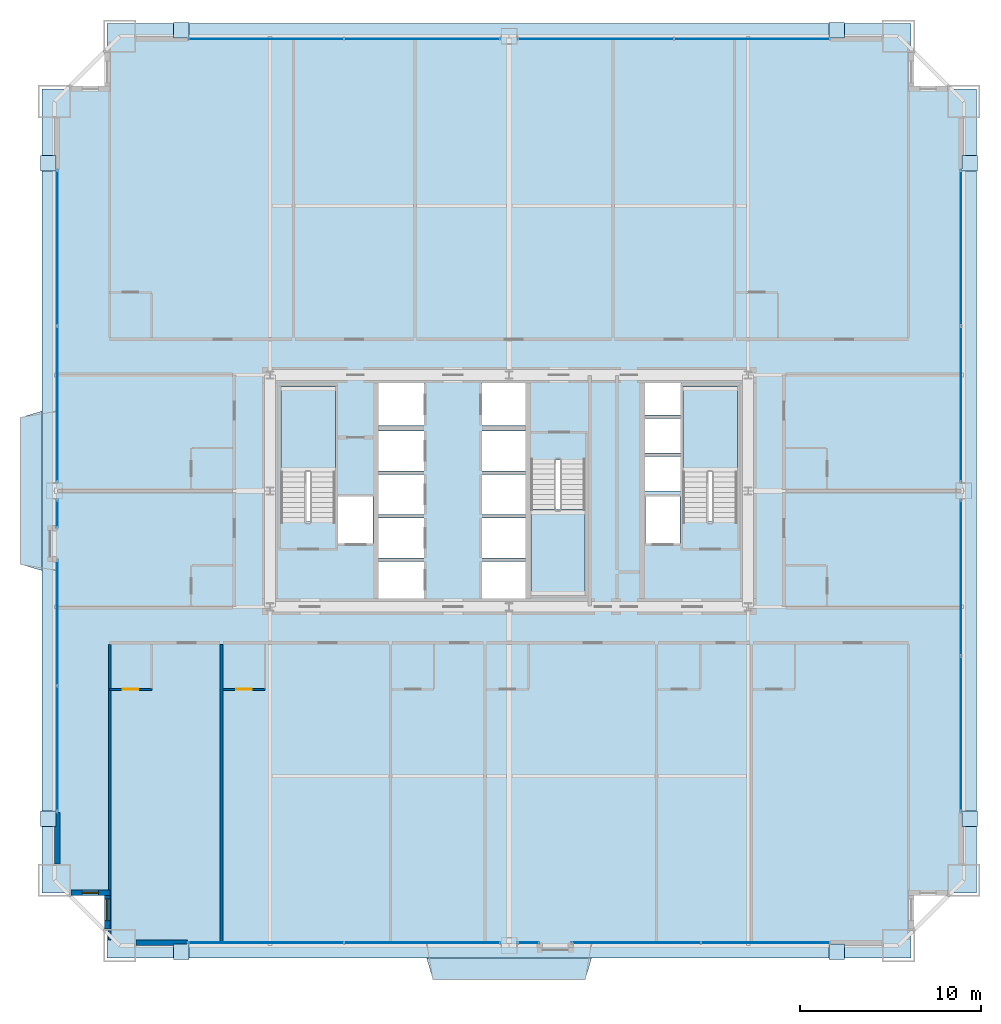
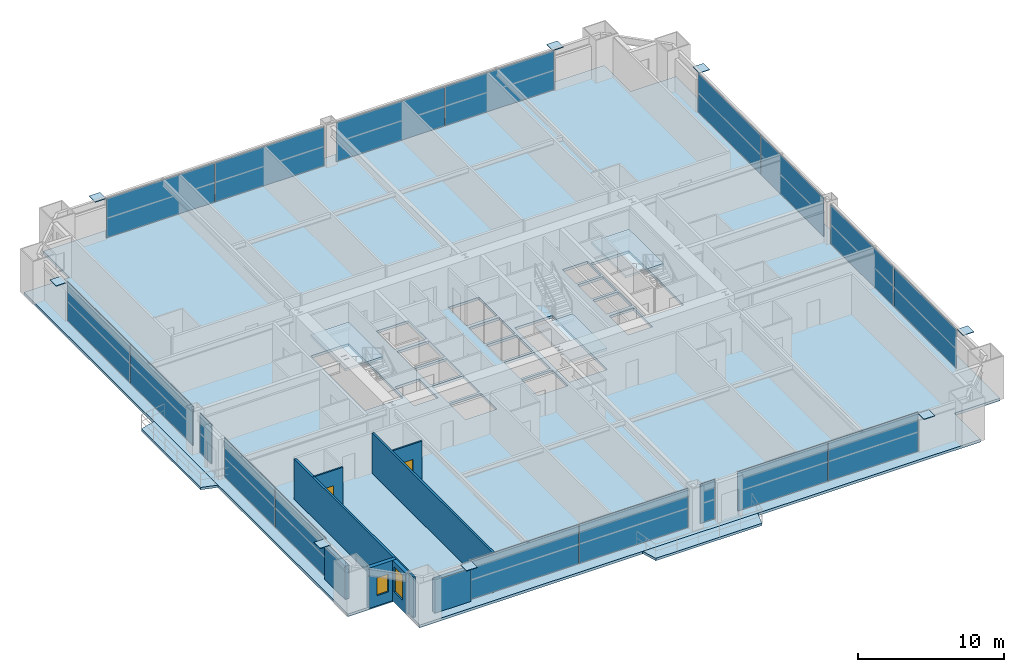
# One storey, part 40 of 46: 26 plates, 8 walls, 6 slabs, 2 doors, 2 windows, 4 openings, 13 elements without a shape of their own.
"""IFC4 building model written with IfcOpenShell, lengths in metres."""

from ifc_helpers import new_model, si_unit, direction, frame, frame_2d, origin, origin_2d, place, context, subcontext, project, spatial, polyline, rectangle, outline, extrude, source, transform, mapped, material, layer, layer_set, type_object, element, fill, aggregate, save


model = new_model("IFC4")

# Units and contexts
model_context = context("Model", 3, precision=1e-05, world=origin(), true_north=direction((0.0, 1.0)))
body_context = subcontext(model_context, "Body", "Model", "MODEL_VIEW")
ifc_project = project(units=[si_unit("LENGTHUNIT", "METRE"), si_unit("AREAUNIT", "SQUARE_METRE"), si_unit("VOLUMEUNIT", "CUBIC_METRE"), si_unit("PLANEANGLEUNIT", "RADIAN"), si_unit("MASSUNIT", "GRAM", prefix="KILO"), si_unit("THERMODYNAMICTEMPERATUREUNIT", "KELVIN"), si_unit("POWERUNIT", "WATT")], contexts=[model_context])

# Site, building, storey
site_placement = place(None, origin())
site = spatial("IfcSite", under=ifc_project, at=site_placement, CompositionType="ELEMENT")
building_placement = place(site_placement, origin())
building = spatial("IfcBuilding", under=site, at=building_placement, Name="Yuzanri Waterfront Tower", CompositionType="ELEMENT")
storey_placement = place(building_placement, frame((0.0, 0.0, 56.800048828125)))
storey = spatial("IfcBuildingStorey", under=building, at=storey_placement, Name="L14", CompositionType="ELEMENT", Elevation=56.800048828125)

# Slabs
ifc_material_1 = material(Name="Concrete C40", Category="concrete")
ifc_layer_1 = layer(ifc_material_1, 0.199951171875)
ifc_layer_set_1 = layer_set([ifc_layer_1], Name="Concrete C40")
slab_type_1 = type_object("IfcSlabType", Name="Concrete C40 Cantilevered Engawa Wave Terrace Slab 200", PredefinedType="FLOOR", material=ifc_layer_set_1)
slab_1_placement = place(storey_placement, frame((0.0, 0.0, -0.199951171875)))
element("IfcSlab", 1, at=slab_1_placement, inside=storey, type_object=slab_type_1, Name="L14 S Cantilevered Engawa Terrace Slab", PredefinedType="FLOOR", context=body_context, shape_type="SweptSolid", body=[
    extrude(outline(polyline([(32.447998046875, 0.0), (41.552001953125, 0.0), (41.201904296875, -1.181884765625), (32.798095703125, -1.181884765625), (32.447998046875, 0.0)])), origin(), (0.0, 0.0, 1.0), 0.199951171875),
])
slab_2_placement = place(storey_placement, frame((0.0, 0.0, -0.199951171875)))
element("IfcSlab", 2, at=slab_2_placement, inside=storey, type_object=slab_type_1, Name="L14 W Cantilevered Engawa Terrace Slab", PredefinedType="FLOOR", context=body_context, shape_type="SweptSolid", body=[
    extrude(outline(polyline([(11.199951171875, 21.39990234375), (10.01806640625, 21.75), (10.01806640625, 29.85009765625), (11.199951171875, 30.199951171875), (11.199951171875, 21.39990234375)])), origin(), (0.0, 0.0, 1.0), 0.199951171875),
])

# Stair, slab
ifc_material_2 = material(Name="Concrete C40", Category="concrete")
stair_type = type_object("IfcStairType", Name="Concrete C40 Core Dogleg Exit Stair", PredefinedType="HALF_TURN_STAIR", material=ifc_material_2)
stair_1_placement = place(storey_placement, origin())
stair_1 = element("IfcStair", 3, at=stair_1_placement, inside=storey, type_object=stair_type, Name="L14 Smoke-Proof Core Stair ST-01", PredefinedType="HALF_TURN_STAIR")
ifc_material_3 = material(Name="Concrete C40", Category="concrete")
ifc_layer_2 = layer(ifc_material_3, 0.179931640625)
ifc_layer_set_2 = layer_set([ifc_layer_2], Name="Concrete C40")
slab_type_2 = type_object("IfcSlabType", Name="Concrete C40 Stair Half-Landing Slab 180", PredefinedType="LANDING", material=ifc_layer_set_2)
slab_3_placement = place(storey_placement, frame((0.0, 0.0, 1.599853515625)))
slab_3 = element("IfcSlab", 4, at=slab_3_placement, type_object=slab_type_2, Name="ST-01 landing 1", PredefinedType="LANDING", context=body_context, shape_type="SweptSolid", body=[
    extrude(outline(polyline([(27.39990234375, 26.840087890625), (27.39990234375, 31.580078125), (24.39990234375, 31.580078125), (24.39990234375, 26.840087890625), (27.39990234375, 26.840087890625)])), origin(), (0.0, 0.0, 1.0), 0.2001953125),
])
aggregate(stair_1, [slab_3])

stair_2_placement = place(storey_placement, origin())
stair_2 = element("IfcStair", 5, at=stair_2_placement, inside=storey, type_object=stair_type, Name="L14 Smoke-Proof Core Stair ST-02", PredefinedType="HALF_TURN_STAIR")
slab_4_placement = place(storey_placement, frame((0.0, 0.0, 1.599853515625)))
slab_4 = element("IfcSlab", 6, at=slab_4_placement, type_object=slab_type_2, Name="ST-02 landing 1", PredefinedType="LANDING", context=body_context, shape_type="SweptSolid", body=[
    extrude(outline(polyline([(49.60009765625, 26.840087890625), (49.60009765625, 31.580078125), (46.60009765625, 31.580078125), (46.60009765625, 26.840087890625), (49.60009765625, 26.840087890625)])), origin(), (0.0, 0.0, 1.0), 0.2001953125),
])
aggregate(stair_2, [slab_4])

stair_3_placement = place(storey_placement, origin())
stair_3 = element("IfcStair", 7, at=stair_3_placement, inside=storey, type_object=stair_type, Name="L14 Smoke-Proof Core Stair ST-03", PredefinedType="HALF_TURN_STAIR")
slab_5_placement = place(storey_placement, frame((0.0, 0.0, 1.599853515625)))
slab_5 = element("IfcSlab", 8, at=slab_5_placement, type_object=slab_type_2, Name="ST-03 landing 1", PredefinedType="LANDING", context=body_context, shape_type="SweptSolid", body=[
    extrude(outline(polyline([(38.199951171875, 24.760009765625), (38.199951171875, 20.02001953125), (41.199951171875, 20.02001953125), (41.199951171875, 24.760009765625), (38.199951171875, 24.760009765625)])), origin(), (0.0, 0.0, 1.0), 0.2001953125),
])
aggregate(stair_3, [slab_5])

# Slab
ifc_material_4 = material(Name="Concrete C40", Category="concrete")
ifc_layer_3 = layer(ifc_material_4, 0.219970703125)
ifc_layer_set_3 = layer_set([ifc_layer_3], Name="Concrete C40")
slab_type_3 = type_object("IfcSlabType", Name="Concrete C40 Tower Typical Structural Floor Slab 220", PredefinedType="FLOOR", material=ifc_layer_set_3)
slab_6_placement = place(storey_placement, frame((0.0, 0.0, -0.219970703125)))
element("IfcSlab", 9, at=slab_6_placement, inside=storey, type_object=slab_type_3, Name="L14 Main Structural Floor Slab", PredefinedType="FLOOR", context=body_context, shape_type="SweptSolid", body=[
    extrude(outline(polyline([(14.800048828125, 0.0), (59.199951171875, 0.0), (59.199951171875, 3.60009765625), (62.800048828125, 3.60009765625), (62.800048828125, 48.0), (59.199951171875, 48.0), (59.199951171875, 51.60009765625), (14.800048828125, 51.60009765625), (14.800048828125, 48.0), (11.199951171875, 48.0), (11.199951171875, 3.60009765625), (14.800048828125, 3.60009765625), (14.800048828125, 0.0)]), holes=[polyline([(27.39990234375, 24.10009765625), (27.39990234375, 31.580078125), (24.39990234375, 31.580078125), (24.39990234375, 24.10009765625), (27.39990234375, 24.10009765625)]), polyline([(49.60009765625, 24.10009765625), (49.60009765625, 31.580078125), (46.60009765625, 31.580078125), (46.60009765625, 24.10009765625), (49.60009765625, 24.10009765625)]), polyline([(38.199951171875, 27.5), (38.199951171875, 20.02001953125), (41.199951171875, 20.02001953125), (41.199951171875, 27.5), (38.199951171875, 27.5)]), polyline([(27.56005859375, 22.89990234375), (29.47998046875, 22.89990234375), (29.47998046875, 25.5), (27.56005859375, 25.5), (27.56005859375, 22.89990234375)]), polyline([(44.52001953125, 22.89990234375), (46.43994140625, 22.89990234375), (46.43994140625, 25.5), (44.52001953125, 25.5), (44.52001953125, 22.89990234375)]), polyline([(29.800048828125, 19.699951171875), (32.300048828125, 19.699951171875), (32.300048828125, 21.89990234375), (29.800048828125, 21.89990234375), (29.800048828125, 19.699951171875)]), polyline([(29.800048828125, 22.10009765625), (32.300048828125, 22.10009765625), (32.300048828125, 24.300048828125), (29.800048828125, 24.300048828125), (29.800048828125, 22.10009765625)]), polyline([(29.800048828125, 24.5), (32.300048828125, 24.5), (32.300048828125, 26.699951171875), (29.800048828125, 26.699951171875), (29.800048828125, 24.5)]), polyline([(29.800048828125, 26.89990234375), (32.300048828125, 26.89990234375), (32.300048828125, 29.10009765625), (29.800048828125, 29.10009765625), (29.800048828125, 26.89990234375)]), polyline([(29.800048828125, 29.39990234375), (32.300048828125, 29.39990234375), (32.300048828125, 31.89990234375), (29.800048828125, 31.89990234375), (29.800048828125, 29.39990234375)]), polyline([(35.5, 19.699951171875), (37.89990234375, 19.699951171875), (37.89990234375, 21.89990234375), (35.5, 21.89990234375), (35.5, 19.699951171875)]), polyline([(35.5, 22.10009765625), (37.89990234375, 22.10009765625), (37.89990234375, 24.300048828125), (35.5, 24.300048828125), (35.5, 22.10009765625)]), polyline([(35.5, 24.5), (37.89990234375, 24.5), (37.89990234375, 26.699951171875), (35.5, 26.699951171875), (35.5, 24.5)]), polyline([(35.5, 26.89990234375), (37.89990234375, 26.89990234375), (37.89990234375, 29.10009765625), (35.5, 29.10009765625), (35.5, 26.89990234375)]), polyline([(35.5, 29.39990234375), (37.89990234375, 29.39990234375), (37.89990234375, 31.89990234375), (35.5, 31.89990234375), (35.5, 29.39990234375)]), polyline([(44.5, 25.800048828125), (46.5, 25.800048828125), (46.5, 27.699951171875), (44.5, 27.699951171875), (44.5, 25.800048828125)]), polyline([(44.5, 27.89990234375), (46.5, 27.89990234375), (46.5, 29.800048828125), (44.5, 29.800048828125), (44.5, 27.89990234375)]), polyline([(44.5, 30.0), (46.5, 30.0), (46.5, 31.89990234375), (44.5, 31.89990234375), (44.5, 30.0)])]), origin(), (0.0, 0.0, 1.0), 0.219970703125),
])

# Plates
ifc_material_5 = material(Name="Steel Q420GJC", Category="steel")
ifc_layer_4 = layer(ifc_material_5, 0.0400390625)
ifc_layer_set_4 = layer_set([ifc_layer_4], Name="Steel Q420GJC")
plate_type_1 = type_object("IfcPlateType", Name="Steel Q420GJC Mega-Brace Gusset and End-Cap Plate 40", PredefinedType="SHEET", material=ifc_layer_set_4)
shared_shape_1 = source(origin(), body_context, "Body", "SweptSolid", [
    extrude(rectangle(XDim=0.85009765625, YDim=0.85009765625, at=origin_2d()), origin(), (0.0, 0.0, 1.0), 0.0400390625),
])
for number, where, z_axis, x_axis, name in (
    (10, (18.89990234375, 0.360107421875, 3.260009765625), (0.0, 0.0, 1.0), (1.0, 0.0, 0.0), "L14 Mega-Brace Apex Cap Plate S-L"),
    (11, (55.10009765625, 0.360107421875, 3.260009765625), (0.0, 0.0, 1.0), (1.0, 0.0, 0.0), "L14 Mega-Brace Apex Cap Plate S-R"),
    (12, (18.89990234375, 51.239990234375, 3.260009765625), (0.0, 0.0, 1.0), (1.0, 0.0, 0.0), "L14 Mega-Brace Apex Cap Plate N-L"),
    (13, (55.10009765625, 51.239990234375, 3.260009765625), (0.0, 0.0, 1.0), (1.0, 0.0, 0.0), "L14 Mega-Brace Apex Cap Plate N-R"),
    (14, (11.56005859375, 7.699951171875, 3.260009765625), (0.0, 0.0, 1.0), (1.0, 0.0, 0.0), "L14 Mega-Brace Apex Cap Plate W-L"),
    (15, (11.56005859375, 43.89990234375, 3.260009765625), (0.0, 0.0, 1.0), (1.0, 0.0, 0.0), "L14 Mega-Brace Apex Cap Plate W-R"),
    (16, (62.43994140625, 7.699951171875, 3.260009765625), (0.0, 0.0, 1.0), (1.0, 0.0, 0.0), "L14 Mega-Brace Apex Cap Plate E-L"),
    (17, (62.43994140625, 43.89990234375, 3.260009765625), (0.0, 0.0, 1.0), (1.0, 0.0, 0.0), "L14 Mega-Brace Apex Cap Plate E-R"),
):
    element("IfcPlate", number, at=place(storey_placement, frame(where, z_axis=z_axis, x_axis=x_axis)), inside=storey, type_object=plate_type_1, Name=name, PredefinedType="SHEET", context=body_context, shape_type="MappedRepresentation", body=[
        mapped(shared_shape_1, transform((0.0, 0.0, 0.0), scale=1.0)),
    ])

# Curtain wall, plates
ifc_material_6 = material(Name="Anodized Architectural Bronze", Category="metal")
ifc_layer_5 = layer(ifc_material_6, 0.159912109375)
ifc_layer_set_5 = layer_set([ifc_layer_5], Name="Anodized Architectural Bronze")
curtain_wall_type = type_object("IfcCurtainWallType", Name="Anodized Bronze Hotel Lower-Tier Recessed Unitized Curtain Wall 8100", PredefinedType="NOTDEFINED", material=ifc_layer_set_5)
curtain_wall_1_placement = place(storey_placement, origin())
curtain_wall_1 = element("IfcCurtainWall", 18, at=curtain_wall_1_placement, inside=storey, type_object=curtain_wall_type, Name="L14 Curtain Wall CW-L14-SL", PredefinedType="NOTDEFINED")
ifc_material_7 = material(Name="Double-Silver Low-E Insulated Glass", Category="glass")
ifc_layer_6 = layer(ifc_material_7, 0.035888671875)
ifc_layer_set_6 = layer_set([ifc_layer_6], Name="Double-Silver Low-E Insulated Glass")
plate_type_2 = type_object("IfcPlateType", Name="Double Silver Low-E Insulated Vision Glass Panel 36", PredefinedType="CURTAIN_PANEL", material=ifc_layer_set_6)
shared_shape_2 = source(origin(), body_context, "Body", "SweptSolid", [
    extrude(rectangle(XDim=8.570068359375, YDim=0.035888671875, at=origin_2d()), origin(), (0.0, 0.0, 1.0), 3.280029296875),
])
plate_1_placement = place(storey_placement, frame((23.574951171875, 0.85009765625, 0.0498046875), z_axis=(0.0, 0.0, 1.0), x_axis=(1.0, 0.0, 0.0)))
plate_1 = element("IfcPlate", 19, at=plate_1_placement, type_object=plate_type_2, Name="CW-L14-SL Vision Glass Panel 01", PredefinedType="CURTAIN_PANEL", context=body_context, shape_type="MappedRepresentation", body=[
    mapped(shared_shape_2, transform((0.0, 0.0, 0.0), scale=1.0)),
])
plate_2_placement = place(storey_placement, frame((32.22509765625, 0.85009765625, 0.0498046875), z_axis=(0.0, 0.0, 1.0), x_axis=(1.0, 0.0, 0.0)))
plate_2 = element("IfcPlate", 20, at=plate_2_placement, type_object=plate_type_2, Name="CW-L14-SL Vision Glass Panel 02", PredefinedType="CURTAIN_PANEL", context=body_context, shape_type="MappedRepresentation", body=[
    mapped(shared_shape_2, transform((0.0, 0.0, 0.0), scale=1.0)),
])
aggregate(curtain_wall_1, [plate_1, plate_2])

curtain_wall_2_placement = place(storey_placement, origin())
curtain_wall_2 = element("IfcCurtainWall", 21, at=curtain_wall_2_placement, inside=storey, type_object=curtain_wall_type, Name="L14 Curtain Wall CW-L14-NL", PredefinedType="NOTDEFINED")
plate_3_placement = place(storey_placement, frame((23.574951171875, 50.75, 0.0498046875), z_axis=(0.0, 0.0, 1.0), x_axis=(1.0, 0.0, 0.0)))
plate_3 = element("IfcPlate", 22, at=plate_3_placement, type_object=plate_type_2, Name="CW-L14-NL Vision Glass Panel 01", PredefinedType="CURTAIN_PANEL", context=body_context, shape_type="MappedRepresentation", body=[
    mapped(shared_shape_2, transform((0.0, 0.0, 0.0), scale=1.0)),
])
plate_4_placement = place(storey_placement, frame((32.22509765625, 50.75, 0.0498046875), z_axis=(0.0, 0.0, 1.0), x_axis=(1.0, 0.0, 0.0)))
plate_4 = element("IfcPlate", 23, at=plate_4_placement, type_object=plate_type_2, Name="CW-L14-NL Vision Glass Panel 02", PredefinedType="CURTAIN_PANEL", context=body_context, shape_type="MappedRepresentation", body=[
    mapped(shared_shape_2, transform((0.0, 0.0, 0.0), scale=1.0)),
])
aggregate(curtain_wall_2, [plate_3, plate_4])

curtain_wall_3_placement = place(storey_placement, origin())
curtain_wall_3 = element("IfcCurtainWall", 24, at=curtain_wall_3_placement, inside=storey, type_object=curtain_wall_type, Name="L14 Curtain Wall CW-L14-NR", PredefinedType="NOTDEFINED")
plate_5_placement = place(storey_placement, frame((41.77490234375, 50.75, 0.0498046875), z_axis=(0.0, 0.0, 1.0), x_axis=(1.0, 0.0, 0.0)))
plate_5 = element("IfcPlate", 25, at=plate_5_placement, type_object=plate_type_2, Name="CW-L14-NR Vision Glass Panel 01", PredefinedType="CURTAIN_PANEL", context=body_context, shape_type="MappedRepresentation", body=[
    mapped(shared_shape_2, transform((0.0, 0.0, 0.0), scale=1.0)),
])
plate_6_placement = place(storey_placement, frame((50.425048828125, 50.75, 0.0498046875), z_axis=(0.0, 0.0, 1.0), x_axis=(1.0, 0.0, 0.0)))
plate_6 = element("IfcPlate", 26, at=plate_6_placement, type_object=plate_type_2, Name="CW-L14-NR Vision Glass Panel 02", PredefinedType="CURTAIN_PANEL", context=body_context, shape_type="MappedRepresentation", body=[
    mapped(shared_shape_2, transform((0.0, 0.0, 0.0), scale=1.0)),
])
aggregate(curtain_wall_3, [plate_5, plate_6])

curtain_wall_4_placement = place(storey_placement, origin())
curtain_wall_4 = element("IfcCurtainWall", 27, at=curtain_wall_4_placement, inside=storey, type_object=curtain_wall_type, Name="L14 Curtain Wall CW-L14-WR", PredefinedType="NOTDEFINED")
plate_7_placement = place(storey_placement, frame((12.050048828125, 30.574951171875, 0.0498046875), z_axis=(0.0, 0.0, 1.0), x_axis=(0.0, 1.0, 0.0)))
plate_7 = element("IfcPlate", 28, at=plate_7_placement, type_object=plate_type_2, Name="CW-L14-WR Vision Glass Panel 01", PredefinedType="CURTAIN_PANEL", context=body_context, shape_type="MappedRepresentation", body=[
    mapped(shared_shape_2, transform((0.0, 0.0, 0.0), scale=1.0)),
])
plate_8_placement = place(storey_placement, frame((12.050048828125, 39.22509765625, 0.0498046875), z_axis=(0.0, 0.0, 1.0), x_axis=(0.0, 1.0, 0.0)))
plate_8 = element("IfcPlate", 29, at=plate_8_placement, type_object=plate_type_2, Name="CW-L14-WR Vision Glass Panel 02", PredefinedType="CURTAIN_PANEL", context=body_context, shape_type="MappedRepresentation", body=[
    mapped(shared_shape_2, transform((0.0, 0.0, 0.0), scale=1.0)),
])
aggregate(curtain_wall_4, [plate_7, plate_8])

curtain_wall_5_placement = place(storey_placement, origin())
curtain_wall_5 = element("IfcCurtainWall", 30, at=curtain_wall_5_placement, inside=storey, type_object=curtain_wall_type, Name="L14 Curtain Wall CW-L14-EL", PredefinedType="NOTDEFINED")
plate_9_placement = place(storey_placement, frame((61.949951171875, 12.375, 0.0498046875), z_axis=(0.0, 0.0, 1.0), x_axis=(0.0, 1.0, 0.0)))
plate_9 = element("IfcPlate", 31, at=plate_9_placement, type_object=plate_type_2, Name="CW-L14-EL Vision Glass Panel 01", PredefinedType="CURTAIN_PANEL", context=body_context, shape_type="MappedRepresentation", body=[
    mapped(shared_shape_2, transform((0.0, 0.0, 0.0), scale=1.0)),
])
plate_10_placement = place(storey_placement, frame((61.949951171875, 21.02490234375, 0.0498046875), z_axis=(0.0, 0.0, 1.0), x_axis=(0.0, 1.0, 0.0)))
plate_10 = element("IfcPlate", 32, at=plate_10_placement, type_object=plate_type_2, Name="CW-L14-EL Vision Glass Panel 02", PredefinedType="CURTAIN_PANEL", context=body_context, shape_type="MappedRepresentation", body=[
    mapped(shared_shape_2, transform((0.0, 0.0, 0.0), scale=1.0)),
])
aggregate(curtain_wall_5, [plate_9, plate_10])

curtain_wall_6_placement = place(storey_placement, origin())
curtain_wall_6 = element("IfcCurtainWall", 33, at=curtain_wall_6_placement, inside=storey, type_object=curtain_wall_type, Name="L14 Curtain Wall CW-L14-ER", PredefinedType="NOTDEFINED")
plate_11_placement = place(storey_placement, frame((61.949951171875, 30.574951171875, 0.0498046875), z_axis=(0.0, 0.0, 1.0), x_axis=(0.0, 1.0, 0.0)))
plate_11 = element("IfcPlate", 34, at=plate_11_placement, type_object=plate_type_2, Name="CW-L14-ER Vision Glass Panel 01", PredefinedType="CURTAIN_PANEL", context=body_context, shape_type="MappedRepresentation", body=[
    mapped(shared_shape_2, transform((0.0, 0.0, 0.0), scale=1.0)),
])
plate_12_placement = place(storey_placement, frame((61.949951171875, 39.22509765625, 0.0498046875), z_axis=(0.0, 0.0, 1.0), x_axis=(0.0, 1.0, 0.0)))
plate_12 = element("IfcPlate", 35, at=plate_12_placement, type_object=plate_type_2, Name="CW-L14-ER Vision Glass Panel 02", PredefinedType="CURTAIN_PANEL", context=body_context, shape_type="MappedRepresentation", body=[
    mapped(shared_shape_2, transform((0.0, 0.0, 0.0), scale=1.0)),
])
aggregate(curtain_wall_6, [plate_11, plate_12])

# Curtain wall, plate
curtain_wall_7_placement = place(storey_placement, origin())
curtain_wall_7 = element("IfcCurtainWall", 36, at=curtain_wall_7_placement, inside=storey, type_object=curtain_wall_type, Name="L14 Curtain Wall CW-L14-SR1", PredefinedType="NOTDEFINED")
shared_shape_3 = source(origin(), body_context, "Body", "SweptSolid", [
    extrude(rectangle(XDim=1.1708984375, YDim=0.035888671875, at=origin_2d()), origin(), (0.0, 0.0, 1.0), 3.280029296875),
])
plate_13_placement = place(storey_placement, frame((38.075439453125, 0.85009765625, 0.0498046875), z_axis=(0.0, 0.0, 1.0), x_axis=(1.0, 0.0, 0.0)))
plate_13 = element("IfcPlate", 37, at=plate_13_placement, type_object=plate_type_2, Name="CW-L14-SR1 Vision Glass Panel 01", PredefinedType="CURTAIN_PANEL", context=body_context, shape_type="MappedRepresentation", body=[
    mapped(shared_shape_3, transform((0.0, 0.0, 0.0), scale=1.0)),
])
aggregate(curtain_wall_7, [plate_13])

# Curtain wall, plates
curtain_wall_8_placement = place(storey_placement, origin())
curtain_wall_8 = element("IfcCurtainWall", 38, at=curtain_wall_8_placement, inside=storey, type_object=curtain_wall_type, Name="L14 Curtain Wall CW-L14-SR2", PredefinedType="NOTDEFINED")
shared_shape_4 = source(origin(), body_context, "Body", "SweptSolid", [
    extrude(rectangle(XDim=7.094482421875, YDim=0.035888671875, at=origin_2d()), origin(), (0.0, 0.0, 1.0), 3.280029296875),
])
plate_14_placement = place(storey_placement, frame((43.98828125, 0.85009765625, 0.0498046875), z_axis=(0.0, 0.0, 1.0), x_axis=(1.0, 0.0, 0.0)))
plate_14 = element("IfcPlate", 39, at=plate_14_placement, type_object=plate_type_2, Name="CW-L14-SR2 Vision Glass Panel 01", PredefinedType="CURTAIN_PANEL", context=body_context, shape_type="MappedRepresentation", body=[
    mapped(shared_shape_4, transform((0.0, 0.0, 0.0), scale=1.0)),
])
plate_15_placement = place(storey_placement, frame((51.162841796875, 0.85009765625, 0.0498046875), z_axis=(0.0, 0.0, 1.0), x_axis=(1.0, 0.0, 0.0)))
plate_15 = element("IfcPlate", 40, at=plate_15_placement, type_object=plate_type_2, Name="CW-L14-SR2 Vision Glass Panel 02", PredefinedType="CURTAIN_PANEL", context=body_context, shape_type="MappedRepresentation", body=[
    mapped(shared_shape_4, transform((0.0, 0.0, 0.0), scale=1.0)),
])
aggregate(curtain_wall_8, [plate_14, plate_15])

curtain_wall_9_placement = place(storey_placement, origin())
curtain_wall_9 = element("IfcCurtainWall", 41, at=curtain_wall_9_placement, inside=storey, type_object=curtain_wall_type, Name="L14 Curtain Wall CW-L14-WL1", PredefinedType="NOTDEFINED")
shared_shape_5 = source(origin(), body_context, "Body", "SweptSolid", [
    extrude(rectangle(XDim=6.907470703125, YDim=0.035888671875, at=origin_2d()), origin(), (0.0, 0.0, 1.0), 3.280029296875),
])
plate_16_placement = place(storey_placement, frame((12.050048828125, 11.543701171875, 0.0498046875), z_axis=(0.0, 0.0, 1.0), x_axis=(0.0, 1.0, 0.0)))
plate_16 = element("IfcPlate", 42, at=plate_16_placement, type_object=plate_type_2, Name="CW-L14-WL1 Vision Glass Panel 01", PredefinedType="CURTAIN_PANEL", context=body_context, shape_type="MappedRepresentation", body=[
    mapped(shared_shape_5, transform((0.0, 0.0, 0.0), scale=1.0)),
])
plate_17_placement = place(storey_placement, frame((12.050048828125, 18.53125, 0.0498046875), z_axis=(0.0, 0.0, 1.0), x_axis=(0.0, 1.0, 0.0)))
plate_17 = element("IfcPlate", 43, at=plate_17_placement, type_object=plate_type_2, Name="CW-L14-WL1 Vision Glass Panel 02", PredefinedType="CURTAIN_PANEL", context=body_context, shape_type="MappedRepresentation", body=[
    mapped(shared_shape_5, transform((0.0, 0.0, 0.0), scale=1.0)),
])
aggregate(curtain_wall_9, [plate_16, plate_17])

# Curtain wall, plate
curtain_wall_10_placement = place(storey_placement, origin())
curtain_wall_10 = element("IfcCurtainWall", 44, at=curtain_wall_10_placement, inside=storey, type_object=curtain_wall_type, Name="L14 Curtain Wall CW-L14-WL2", PredefinedType="NOTDEFINED")
shared_shape_6 = source(origin(), body_context, "Body", "SweptSolid", [
    extrude(rectangle(XDim=1.544921875, YDim=0.035888671875, at=origin_2d()), origin(), (0.0, 0.0, 1.0), 3.280029296875),
])
plate_18_placement = place(storey_placement, frame((12.050048828125, 24.53759765625, 0.0498046875), z_axis=(0.0, 0.0, 1.0), x_axis=(0.0, 1.0, 0.0)))
plate_18 = element("IfcPlate", 45, at=plate_18_placement, type_object=plate_type_2, Name="CW-L14-WL2 Vision Glass Panel 01", PredefinedType="CURTAIN_PANEL", context=body_context, shape_type="MappedRepresentation", body=[
    mapped(shared_shape_6, transform((0.0, 0.0, 0.0), scale=1.0)),
])
aggregate(curtain_wall_10, [plate_18])

# Wall, opening, door
ifc_material_8 = material(Name="Moisture-Resistant Gypsum Stud Wall", Category="gypsum")
ifc_layer_7 = layer(ifc_material_8, 0.1201171875)
ifc_layer_set_7 = layer_set([ifc_layer_7], Name="Moisture-Resistant Gypsum Stud Wall")
wall_type_1 = type_object("IfcWallType", Name="Bathroom and Kitchen Wet Partition 120", PredefinedType="PARTITIONING", material=ifc_layer_set_7)
wall_1_placement = place(storey_placement, frame((14.93994140625, 14.840087890625, 0.0), z_axis=(0.0, 0.0, 1.0), x_axis=(1.0, 0.0, 0.0)))
wall_1 = element("IfcWall", 46, at=wall_1_placement, inside=storey, type_object=wall_type_1, Name="L14 Partition UW-L14-S1-BS", PredefinedType="PARTITIONING", context=body_context, shape_type="SweptSolid", body=[
    extrude(rectangle(XDim=2.330078125, YDim=0.1201171875, at=frame_2d((1.1650390625, 0.0))), origin(), (0.0, 0.0, 1.0), 3.3798828125),
])
opening_1_placement = place(wall_1_placement, frame((0.739990234375, 0.0, 0.0)))
opening_1 = element("IfcOpeningElement", 47, at=opening_1_placement, cuts=wall_1, Name="Opening ID-0850", PredefinedType="OPENING", context=body_context, shape_type="SweptSolid", body=[
    extrude(rectangle(XDim=0.85009765625, YDim=2.10009765625, at=frame_2d((0.425048828125, 1.050048828125))), frame((0.0, 0.074951171875, 0.0), z_axis=(0.0, -1.0, 0.0), x_axis=(1.0, 0.0, 0.0)), (0.0, 0.0, 1.0), 0.14990234375),
])
ifc_material_9 = material(Name="Moisture-Resistant Lacquered Timber", Category="wood")
door_type = type_object("IfcDoorType", Name="En-Suite Bathroom and Kitchen Swing Door 850x2100", OperationType="NOTDEFINED", PredefinedType="DOOR", material=ifc_material_9)
shared_shape_7 = source(origin(), body_context, "Body", "SweptSolid", [
    extrude(rectangle(XDim=0.85009765625, YDim=2.10009765625, at=frame_2d((0.425048828125, 1.050048828125))), frame((0.0, 0.02490234375, 0.0), z_axis=(0.0, -1.0, 0.0), x_axis=(1.0, 0.0, 0.0)), (0.0, 0.0, 1.0), 0.050048828125),
])
door_1_placement = place(opening_1_placement, origin())
door_1 = element("IfcDoor", 48, at=door_1_placement, inside=storey, type_object=door_type, Name="L14 Guest En-Suite Door", OperationType="SINGLE_SWING_RIGHT", OverallHeight=2.10009765625, OverallWidth=0.85009765625, PredefinedType="DOOR", context=body_context, shape_type="MappedRepresentation", body=[
    mapped(shared_shape_7, transform((0.0, 0.0, 0.0), scale=1.0)),
])
fill(opening_1, door_1)

wall_2_placement = place(storey_placement, frame((21.197021484375, 14.840087890625, 0.0), z_axis=(0.0, 0.0, 1.0), x_axis=(1.0, 0.0, 0.0)))
wall_2 = element("IfcWall", 49, at=wall_2_placement, inside=storey, type_object=wall_type_1, Name="L14 Partition UW-L14-S2-BS", PredefinedType="PARTITIONING", context=body_context, shape_type="SweptSolid", body=[
    extrude(rectangle(XDim=2.330078125, YDim=0.1201171875, at=frame_2d((1.1650390625, 0.0))), origin(), (0.0, 0.0, 1.0), 3.3798828125),
])
opening_2_placement = place(wall_2_placement, frame((0.739990234375, 0.0, 0.0)))
opening_2 = element("IfcOpeningElement", 50, at=opening_2_placement, cuts=wall_2, Name="Opening ID-0850", PredefinedType="OPENING", context=body_context, shape_type="SweptSolid", body=[
    extrude(rectangle(XDim=0.85009765625, YDim=2.10009765625, at=frame_2d((0.425048828125, 1.050048828125))), frame((0.0, 0.074951171875, 0.0), z_axis=(0.0, -1.0, 0.0), x_axis=(1.0, 0.0, 0.0)), (0.0, 0.0, 1.0), 0.14990234375),
])
door_2_placement = place(opening_2_placement, origin())
door_2 = element("IfcDoor", 51, at=door_2_placement, inside=storey, type_object=door_type, Name="L14 Guest En-Suite Door", OperationType="SINGLE_SWING_RIGHT", OverallHeight=2.10009765625, OverallWidth=0.85009765625, PredefinedType="DOOR", context=body_context, shape_type="MappedRepresentation", body=[
    mapped(shared_shape_7, transform((0.0, 0.0, 0.0), scale=1.0)),
])
fill(opening_2, door_2)

# Wall, opening, window
ifc_material_10 = material(Name="Honed Chongqing Dark Basalt Stone", Category="masonry")
ifc_layer_8 = layer(ifc_material_10, 0.300048828125)
ifc_layer_set_8 = layer_set([ifc_layer_8], Name="Honed Chongqing Dark Basalt Stone")
wall_type_2 = type_object("IfcWallType", Name="Bronze Rainscreen Insulated Spandrel Portal Wall 300", PredefinedType="SOLIDWALL", material=ifc_layer_set_8)
wall_3_placement = place(storey_placement, frame((12.800048828125, 3.60009765625, 0.0), z_axis=(0.0, 0.0, 1.0), x_axis=(1.0, 0.0, 0.0)))
wall_3 = element("IfcWall", 52, at=wall_3_placement, inside=storey, type_object=wall_type_2, Name="L14 Notched Corner Masonry Wall SW-X", PredefinedType="SOLIDWALL", context=body_context, shape_type="SweptSolid", body=[
    extrude(rectangle(XDim=2.14990234375, YDim=0.300048828125, at=frame_2d((1.074951171875, 0.0))), origin(), (0.0, 0.0, 1.0), 3.3798828125),
])
opening_3_placement = place(wall_3_placement, frame((0.625, 0.0, 0.85009765625)))
opening_3 = element("IfcOpeningElement", 53, at=opening_3_placement, cuts=wall_3, Name="Opening WN-05", PredefinedType="OPENING", context=body_context, shape_type="SweptSolid", body=[
    extrude(rectangle(XDim=0.89990234375, YDim=1.5, at=frame_2d((0.449951171875, 0.75))), frame((0.0, 0.1650390625, 0.0), z_axis=(0.0, -1.0, 0.0), x_axis=(1.0, 0.0, 0.0)), (0.0, 0.0, 1.0), 0.329833984375),
])
ifc_material_11 = material(Name="Double-Silver Low-E Insulated Glass", Category="glass")
window_type_1 = type_object("IfcWindowType", Name="Anodized Bronze Service and Stairwell Smoke-Vent Window 900x1500", PartitioningType="SINGLE_PANEL", PredefinedType="WINDOW", material=ifc_material_11)
shared_shape_8 = source(origin(), body_context, "Body", "SweptSolid", [
    extrude(rectangle(XDim=0.89990234375, YDim=1.5, at=frame_2d((0.449951171875, 0.75))), frame((0.0, 0.030029296875, 0.0), z_axis=(0.0, -1.0, 0.0), x_axis=(1.0, 0.0, 0.0)), (0.0, 0.0, 1.0), 0.06005859375),
])
window_1_placement = place(opening_3_placement, origin())
window_1 = element("IfcWindow", 54, at=window_1_placement, inside=storey, type_object=window_type_1, Name="L14 Notched Corner Window SW-X", OverallHeight=1.5, OverallWidth=0.89990234375, PartitioningType="SINGLE_PANEL", PredefinedType="WINDOW", context=body_context, shape_type="MappedRepresentation", body=[
    mapped(shared_shape_8, transform((0.0, 0.0, 0.0), scale=1.0)),
])
fill(opening_3, window_1)

wall_4_placement = place(storey_placement, frame((14.800048828125, 3.75, 0.0), z_axis=(0.0, 0.0, 1.0), x_axis=(0.0, -1.0, 0.0)))
wall_4 = element("IfcWall", 55, at=wall_4_placement, inside=storey, type_object=wall_type_2, Name="L14 Notched Corner Masonry Wall SW-Y", PredefinedType="SOLIDWALL", context=body_context, shape_type="SweptSolid", body=[
    extrude(rectangle(XDim=2.14990234375, YDim=0.300048828125, at=frame_2d((1.074951171875, 0.0))), origin(), (0.0, 0.0, 1.0), 3.3798828125),
])
opening_4_placement = place(wall_4_placement, frame((0.47509765625, 0.0, 0.85009765625)))
opening_4 = element("IfcOpeningElement", 56, at=opening_4_placement, cuts=wall_4, Name="Opening WN-02", PredefinedType="OPENING", context=body_context, shape_type="SweptSolid", body=[
    extrude(rectangle(XDim=1.199951171875, YDim=2.10009765625, at=frame_2d((0.60009765625, 1.050048828125))), frame((0.0, 0.1650390625, 0.0), z_axis=(0.0, -1.0, 0.0), x_axis=(1.0, 0.0, 0.0)), (0.0, 0.0, 1.0), 0.329833984375),
])
ifc_material_12 = material(Name="Double-Silver Low-E Insulated Glass", Category="glass")
window_type_2 = type_object("IfcWindowType", Name="Anodized Bronze Notched Corner Deep-Set Slot Window 1200x2100", PartitioningType="SINGLE_PANEL", PredefinedType="WINDOW", material=ifc_material_12)
shared_shape_9 = source(origin(), body_context, "Body", "SweptSolid", [
    extrude(rectangle(XDim=1.199951171875, YDim=2.10009765625, at=frame_2d((0.60009765625, 1.050048828125))), frame((0.0, 0.030029296875, 0.0), z_axis=(0.0, -1.0, 0.0), x_axis=(1.0, 0.0, 0.0)), (0.0, 0.0, 1.0), 0.06005859375),
])
window_2_placement = place(opening_4_placement, origin())
window_2 = element("IfcWindow", 57, at=window_2_placement, inside=storey, type_object=window_type_2, Name="L14 Notched Corner Window SW-Y", OverallHeight=2.10009765625, OverallWidth=1.199951171875, PartitioningType="SINGLE_PANEL", PredefinedType="WINDOW", context=body_context, shape_type="MappedRepresentation", body=[
    mapped(shared_shape_9, transform((0.0, 0.0, 0.0), scale=1.0)),
])
fill(opening_4, window_2)

# Walls
shared_shape_10 = source(origin(), body_context, "Body", "SweptSolid", [
    extrude(rectangle(XDim=2.85009765625, YDim=0.300048828125, at=frame_2d((1.425048828125, 0.0))), origin(), (0.0, 0.0, 1.0), 2.77490234375),
])
for number, where, z_axis, x_axis, name in (
    (58, (16.39990234375, 0.85009765625, 0.0), (0.0, 0.0, 1.0), (1.0, 0.0, 0.0), "L14 S Left Braced Masonry Shoulder"),
    (59, (12.050048828125, 5.199951171875, 0.0), (0.0, 0.0, 1.0), (0.0, 1.0, 0.0), "L14 W Left Braced Masonry Shoulder"),
):
    element("IfcWall", number, at=place(storey_placement, frame(where, z_axis=z_axis, x_axis=x_axis)), inside=storey, type_object=wall_type_2, Name=name, PredefinedType="SOLIDWALL", context=body_context, shape_type="MappedRepresentation", body=[
        mapped(shared_shape_10, transform((0.0, 0.0, 0.0), scale=1.0)),
    ])
ifc_material_13 = material(Name="Gypsum Fireboard Acoustic Stud Wall", Category="gypsum")
ifc_layer_9 = layer(ifc_material_13, 0.159912109375)
ifc_layer_set_9 = layer_set([ifc_layer_9], Name="Gypsum Fireboard Acoustic Stud Wall")
wall_type_3 = type_object("IfcWallType", Name="Acoustic Suite Demising Partition 160", PredefinedType="PARTITIONING", material=ifc_layer_set_9)
shared_shape_11 = source(origin(), body_context, "Body", "SweptSolid", [
    extrude(rectangle(XDim=16.469970703125, YDim=0.159912109375, at=frame_2d((8.23486328125, 0.0))), origin(), (0.0, 0.0, 1.0), 3.3798828125),
])
wall_5_placement = place(storey_placement, frame((21.116943359375, 0.85009765625, 0.0), z_axis=(0.0, 0.0, 1.0), x_axis=(0.0, 1.0, 0.0)))
element("IfcWall", 60, at=wall_5_placement, inside=storey, type_object=wall_type_3, Name="L14-S1 Party Wall", PredefinedType="PARTITIONING", context=body_context, shape_type="MappedRepresentation", body=[
    mapped(shared_shape_11, transform((0.0, 0.0, 0.0), scale=1.0)),
])
shared_shape_12 = source(origin(), body_context, "Body", "SweptSolid", [
    extrude(rectangle(XDim=16.320068359375, YDim=0.159912109375, at=frame_2d((8.16015625, 0.0))), origin(), (0.0, 0.0, 1.0), 3.3798828125),
])
wall_6_placement = place(storey_placement, frame((14.949951171875, 1.0, 0.0), z_axis=(0.0, 0.0, 1.0), x_axis=(0.0, 1.0, 0.0)))
element("IfcWall", 61, at=wall_6_placement, inside=storey, type_object=wall_type_3, Name="L14 South Band West End Wall", PredefinedType="PARTITIONING", context=body_context, shape_type="MappedRepresentation", body=[
    mapped(shared_shape_12, transform((0.0, 0.0, 0.0), scale=1.0)),
])

save(model, "model.ifc")
